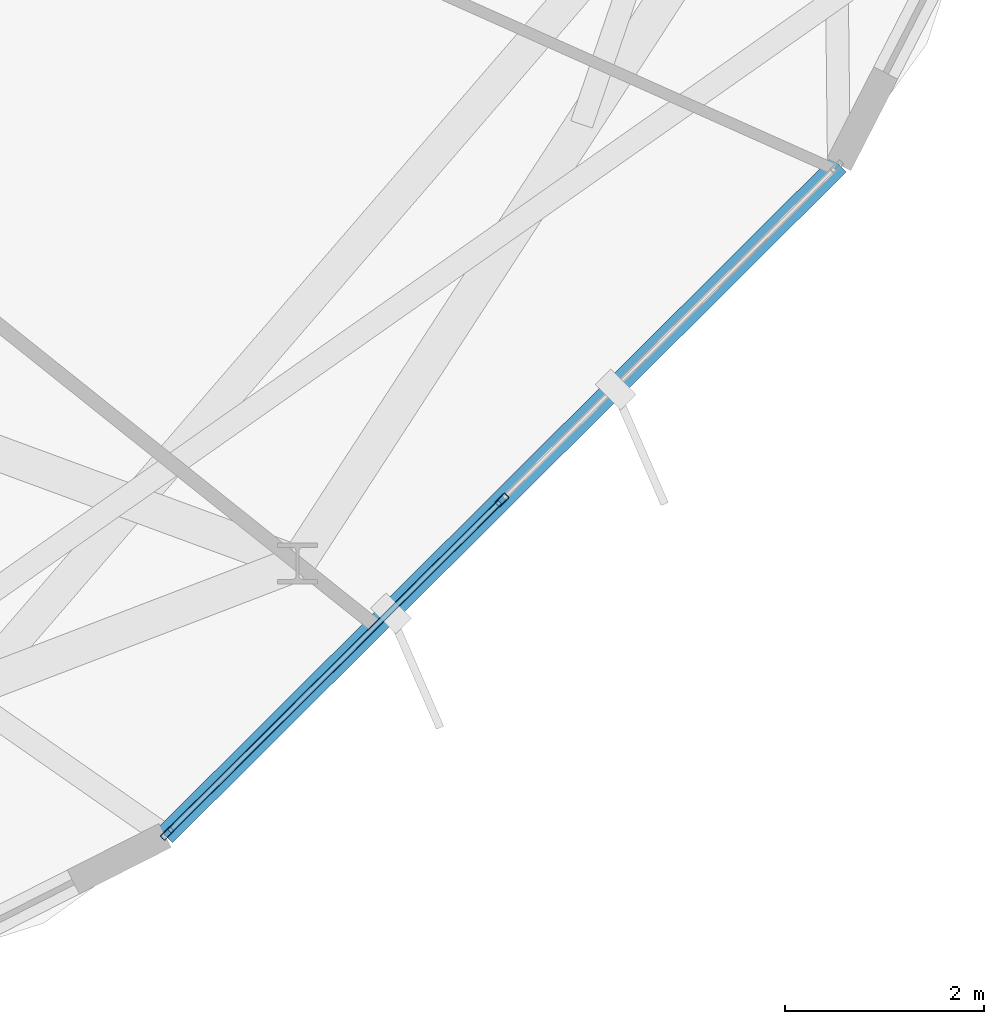
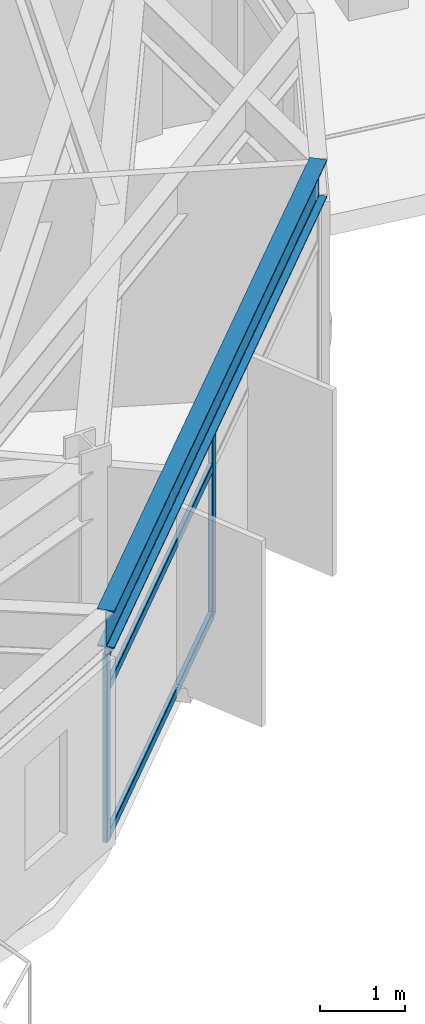
# One storey, part 8 of 27: 5 members, 1 beam, 1 element without a shape of its own.
"""IFC4 building model written with IfcOpenShell, lengths in metres."""

from ifc_helpers import new_model, si_unit, direction, frame, origin, origin_2d, place, context, subcontext, project, spatial, hollow_rectangle, i_section, extrude, material, layer, layer_set, material_profile, profile_set, type_object, element, aggregate, save


model = new_model("IFC4")

# Units and contexts
model_context = context("Model", 3, precision=1e-05, world=origin(), true_north=direction((0.0, 1.0)))
body_context = subcontext(model_context, "Body", "Model", "MODEL_VIEW")
ifc_project = project(units=[si_unit("LENGTHUNIT", "METRE"), si_unit("AREAUNIT", "SQUARE_METRE"), si_unit("VOLUMEUNIT", "CUBIC_METRE"), si_unit("PLANEANGLEUNIT", "RADIAN"), si_unit("MASSUNIT", "GRAM", prefix="KILO")], contexts=[model_context])

# Site, building, storey
site_placement = place(None, origin())
site = spatial("IfcSite", under=ifc_project, at=site_placement, CompositionType="ELEMENT")
building_placement = place(site_placement, origin())
building = spatial("IfcBuilding", under=site, at=building_placement, Name="Soratama Intermodal Tower", CompositionType="ELEMENT")
storey_placement = place(building_placement, frame((0.0, 0.0, 197.800048828125)))
storey = spatial("IfcBuildingStorey", under=building, at=storey_placement, Name="L49", CompositionType="ELEMENT", Elevation=197.800048828125)

# Beam
ifc_material_1 = material(Name="Structural steel ASTM A992 Grade 50", Category="steel")
ifc_material_profile_1 = material_profile(ifc_material_1, i_section(OverallWidth=0.2099609375, OverallDepth=0.537109375, WebThickness=0.010986328125, FlangeThickness=0.017333984375, FilletRadius=0.012939453125, at=origin_2d()), Name="W21X68")
ifc_profile_set_1 = profile_set([ifc_material_profile_1], Name="Structural steel ASTM A992 Grade 50")
beam_type = type_object("IfcBeamType", Name="BM-SPN-W21X68", PredefinedType="SPANDREL", material=ifc_profile_set_1)
beam_placement = place(storey_placement, frame((55.375, 7.81298828125, 3.031494140625), z_axis=(0.708625857148, 0.705584434764, 0.0), x_axis=(-0.705584434764, 0.708625857148, 0.0)))
element("IfcBeam", 1, at=beam_placement, inside=storey, type_object=beam_type, Name="BS-L49-F08", PredefinedType="SPANDREL", context=body_context, shape_type="SweptSolid", body=[
    extrude(i_section(OverallWidth=0.2099609375, OverallDepth=0.537109375, WebThickness=0.010986328125, FlangeThickness=0.017333984375, FilletRadius=0.012939453125, at=origin_2d()), origin(), (0.0, 0.0, 1.0), 9.55224609375),
])

# Curtain wall, members
ifc_material_2 = material(Name="Double-glazed aluminium curtain wall", Category="aluminium")
ifc_layer = layer(ifc_material_2, 0.159912109375)
ifc_layer_set = layer_set([ifc_layer], Name="Double-glazed aluminium curtain wall")
curtain_wall_type = type_object("IfcCurtainWallType", Name="CW-SYS-5", PredefinedType="NOTDEFINED", material=ifc_layer_set)
curtain_wall_placement = place(storey_placement, origin())
curtain_wall = element("IfcCurtainWall", 2, at=curtain_wall_placement, inside=storey, type_object=curtain_wall_type, Name="L49 Faceted Curtain Wall F08", PredefinedType="NOTDEFINED")
ifc_material_3 = material(Name="Anodised aluminium AA 6063-T6", Category="aluminium")
ifc_material_profile_2 = material_profile(ifc_material_3, hollow_rectangle(XDim=0.06494140625, YDim=0.139892578125, WallThickness=0.0048828125, InnerFilletRadius=0.0048828125, OuterFilletRadius=0.010009765625, at=origin_2d()), Name="CWM140X65X5")
ifc_profile_set_2 = profile_set([ifc_material_profile_2], Name="Anodised aluminium AA 6063-T6")
member_type_1 = type_object("IfcMemberType", Name="MT-CWM-5", PredefinedType="MULLION", material=ifc_profile_set_2)
member_1_placement = place(storey_placement, frame((55.396240234375, 7.833984375, 0.0), z_axis=(0.0, 0.0, 1.0), x_axis=(-0.705623904067, 0.708586555058, 0.0)))
member_1 = element("IfcMember", 3, at=member_1_placement, type_object=member_type_1, Name="CW-5 mullion 1", PredefinedType="MULLION", context=body_context, shape_type="SweptSolid", body=[
    extrude(hollow_rectangle(XDim=0.06494140625, YDim=0.139892578125, WallThickness=0.0048828125, InnerFilletRadius=0.0048828125, OuterFilletRadius=0.010009765625, at=origin_2d()), origin(), (0.0, 0.0, 1.0), 2.678955078125),
])
member_2_placement = place(storey_placement, frame((58.759521484375, 11.182861328125, 0.0), z_axis=(0.0, 0.0, 1.0), x_axis=(-0.705623904067, 0.708586555058, 0.0)))
member_2 = element("IfcMember", 4, at=member_2_placement, type_object=member_type_1, Name="CW-5 mullion 2", PredefinedType="MULLION", context=body_context, shape_type="SweptSolid", body=[
    extrude(hollow_rectangle(XDim=0.06494140625, YDim=0.139892578125, WallThickness=0.0048828125, InnerFilletRadius=0.0048828125, OuterFilletRadius=0.010009765625, at=origin_2d()), origin(), (0.0, 0.0, 1.0), 2.678955078125),
])
ifc_material_4 = material(Name="Anodised aluminium AA 6063-T6", Category="aluminium")
ifc_material_profile_3 = material_profile(ifc_material_4, hollow_rectangle(XDim=0.06005859375, YDim=0.1298828125, WallThickness=0.0048828125, InnerFilletRadius=0.0048828125, OuterFilletRadius=0.010009765625, at=origin_2d()), Name="CWT130X60X5")
ifc_profile_set_3 = profile_set([ifc_material_profile_3], Name="Anodised aluminium AA 6063-T6")
member_type_2 = type_object("IfcMemberType", Name="TT-CWT-2", PredefinedType="USERDEFINED", material=ifc_profile_set_3)
member_3_placement = place(storey_placement, frame((55.417724609375, 7.85498046875, 0.030029296875), z_axis=(0.708564084785, 0.705646467966, 0.0), x_axis=(-0.705646467966, 0.708564084785, 0.0)))
member_3 = element("IfcMember", 5, at=member_3_placement, type_object=member_type_2, Name="CW-5 transom 1.1", ObjectType="TRANSOM", PredefinedType="USERDEFINED", context=body_context, shape_type="SweptSolid", body=[
    extrude(hollow_rectangle(XDim=0.06005859375, YDim=0.1298828125, WallThickness=0.0048828125, InnerFilletRadius=0.0048828125, OuterFilletRadius=0.010009765625, at=origin_2d()), origin(), (0.0, 0.0, 1.0), 4.68603515625),
])
member_4_placement = place(storey_placement, frame((55.417724609375, 7.85498046875, 2.14990234375), z_axis=(0.708564084785, 0.705646467966, 0.0), x_axis=(-0.705646467966, 0.708564084785, 0.0)))
member_4 = element("IfcMember", 6, at=member_4_placement, type_object=member_type_2, Name="CW-5 transom 1.2", ObjectType="TRANSOM", PredefinedType="USERDEFINED", context=body_context, shape_type="SweptSolid", body=[
    extrude(hollow_rectangle(XDim=0.06005859375, YDim=0.1298828125, WallThickness=0.0048828125, InnerFilletRadius=0.0048828125, OuterFilletRadius=0.010009765625, at=origin_2d()), origin(), (0.0, 0.0, 1.0), 4.68603515625),
])
member_5_placement = place(storey_placement, frame((55.417724609375, 7.85498046875, 2.64892578125), z_axis=(0.708564084785, 0.705646467966, 0.0), x_axis=(-0.705646467966, 0.708564084785, 0.0)))
member_5 = element("IfcMember", 7, at=member_5_placement, type_object=member_type_2, Name="CW-5 transom 1.3", ObjectType="TRANSOM", PredefinedType="USERDEFINED", context=body_context, shape_type="SweptSolid", body=[
    extrude(hollow_rectangle(XDim=0.06005859375, YDim=0.1298828125, WallThickness=0.0048828125, InnerFilletRadius=0.0048828125, OuterFilletRadius=0.010009765625, at=origin_2d()), origin(), (0.0, 0.0, 1.0), 4.68603515625),
])
aggregate(curtain_wall, [member_1, member_2, member_3, member_4, member_5])

save(model, "model.ifc")
